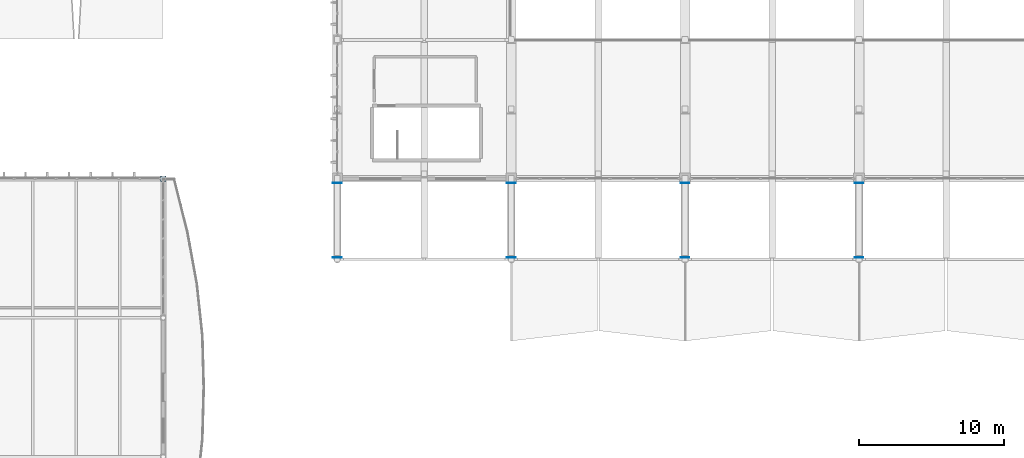
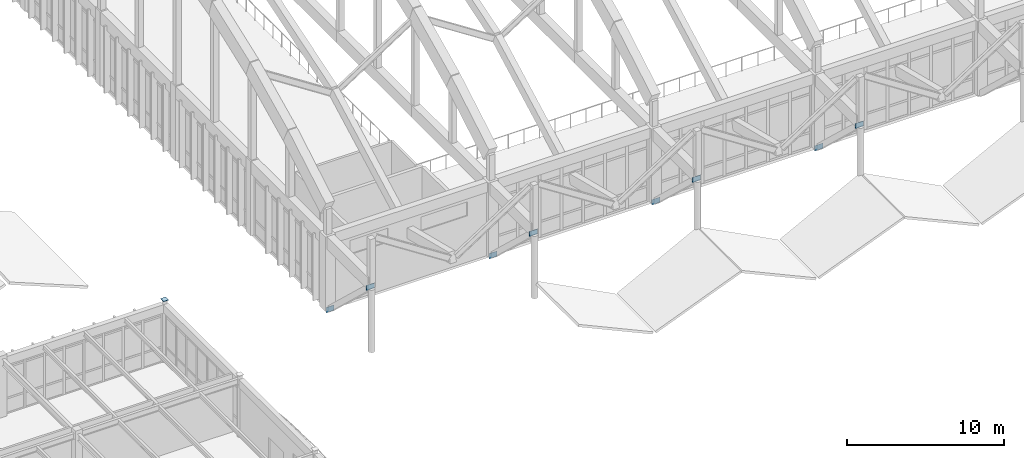
# One storey, part 210 of 236: 9 plates.
"""IFC4 building model written with IfcOpenShell, lengths in metres."""

from ifc_helpers import new_model, si_unit, direction, frame, origin, origin_2d, place, context, subcontext, project, spatial, rectangle, extrude, material, layer, layer_set, type_object, element, save


model = new_model("IFC4")

# Units and contexts
model_context = context("Model", 3, precision=1e-05, world=origin(), true_north=direction((0.0, 1.0)))
body_context = subcontext(model_context, "Body", "Model", "MODEL_VIEW")
ifc_project = project(units=[si_unit("LENGTHUNIT", "METRE"), si_unit("AREAUNIT", "SQUARE_METRE"), si_unit("VOLUMEUNIT", "CUBIC_METRE"), si_unit("PLANEANGLEUNIT", "RADIAN"), si_unit("MASSUNIT", "GRAM", prefix="KILO")], contexts=[model_context])

# Site, building, storey
site_placement = place(None, origin())
site = spatial("IfcSite", under=ifc_project, at=site_placement, CompositionType="ELEMENT")
building_placement = place(site_placement, origin())
building = spatial("IfcBuilding", under=site, at=building_placement, Name="Pandanus Reach Market Hall", CompositionType="ELEMENT")
storey_placement = place(building_placement, frame((0.0, 0.0, 5.39990234375)))
storey = spatial("IfcBuildingStorey", under=building, at=storey_placement, Name="L01", CompositionType="ELEMENT", Elevation=5.39990234375)

# Plates
ifc_material = material(Name="Steel Grade 350 (350 MPa)", Category="steel")
ifc_layer_1 = layer(ifc_material, 0.02197265625, Name="CP-PL22")
ifc_layer_set_1 = layer_set([ifc_layer_1], Name="Steel Grade 350 (350 MPa)")
plate_type_1 = type_object("IfcPlateType", Name="CP-PL22", PredefinedType="SHEET", material=ifc_layer_set_1)
plate_placement = place(storey_placement, frame((36.0, 28.800048828125, 4.798095703125), z_axis=(0.0, 0.0, 1.0), x_axis=(1.0, 0.0, 0.0)))
element("IfcPlate", 1, at=plate_placement, inside=storey, type_object=plate_type_1, Name="Hollow column top cap plate CP-PL22 V3-36-288", PredefinedType="SHEET", context=body_context, shape_type="SweptSolid", body=[
    extrude(rectangle(XDim=0.3798828125, YDim=0.3798828125, at=origin_2d()), origin(), (0.0, 0.0, 1.0), 0.02197265625),
])
ifc_layer_2 = layer(ifc_material, 0.02392578125, Name="GS-PL24")
ifc_layer_set_2 = layer_set([ifc_layer_2], Name="Steel Grade 350 (350 MPa)")
plate_type_2 = type_object("IfcPlateType", Name="GS-PL24", PredefinedType="SHEET", material=ifc_layer_set_2)
for number, where, z_axis, x_axis, name in (
    (2, (48.0, 28.5, -0.14990234375), (0.0, 0.0, 1.0), (1.0, 0.0, 0.0), "Arcade splayed strut anchorage plate GS-PL24 1SA"),
    (3, (48.0, 23.35009765625, 4.7001953125), (0.0, 0.0, 1.0), (1.0, 0.0, 0.0), "Arcade splayed strut anchorage plate GS-PL24 1SB"),
    (4, (60.0, 28.5, -0.14990234375), (0.0, 0.0, 1.0), (1.0, 0.0, 0.0), "Arcade splayed strut anchorage plate GS-PL24 2SA"),
    (5, (60.0, 23.35009765625, 4.7001953125), (0.0, 0.0, 1.0), (1.0, 0.0, 0.0), "Arcade splayed strut anchorage plate GS-PL24 2SB"),
    (6, (72.0, 28.5, -0.14990234375), (0.0, 0.0, 1.0), (1.0, 0.0, 0.0), "Arcade splayed strut anchorage plate GS-PL24 3SA"),
    (7, (72.0, 23.35009765625, 4.7001953125), (0.0, 0.0, 1.0), (1.0, 0.0, 0.0), "Arcade splayed strut anchorage plate GS-PL24 3SB"),
    (8, (84.0, 28.5, -0.14990234375), (0.0, 0.0, 1.0), (1.0, 0.0, 0.0), "Arcade splayed strut anchorage plate GS-PL24 4SA"),
    (9, (84.0, 23.35009765625, 4.7001953125), (0.0, 0.0, 1.0), (1.0, 0.0, 0.0), "Arcade splayed strut anchorage plate GS-PL24 4SB"),
):
    element("IfcPlate", number, at=place(storey_placement, frame(where, z_axis=z_axis, x_axis=x_axis)), inside=storey, type_object=plate_type_2, Name=name, PredefinedType="SHEET", context=body_context, shape_type="SweptSolid", body=[
        extrude(rectangle(XDim=0.60009765625, YDim=0.02392578125, at=origin_2d()), origin(), (0.0, 0.0, 1.0), 0.39990234375),
    ])

save(model, "model.ifc")
